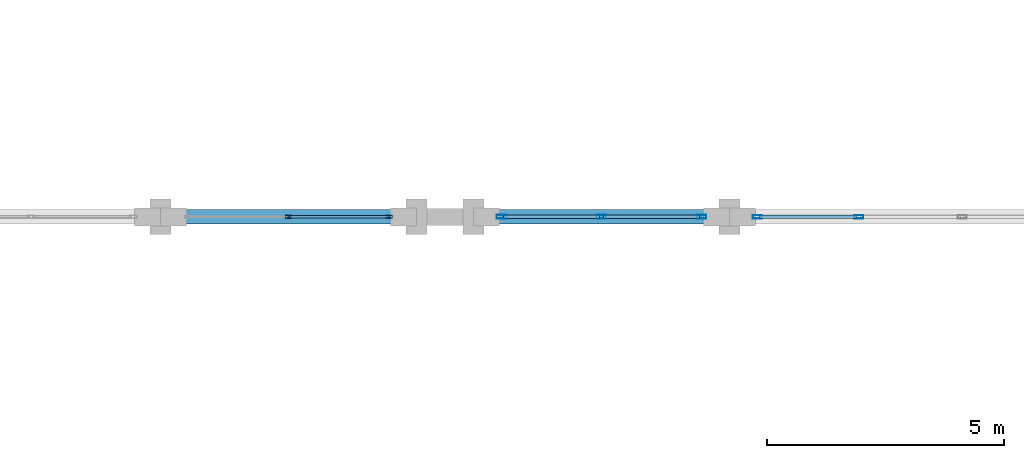
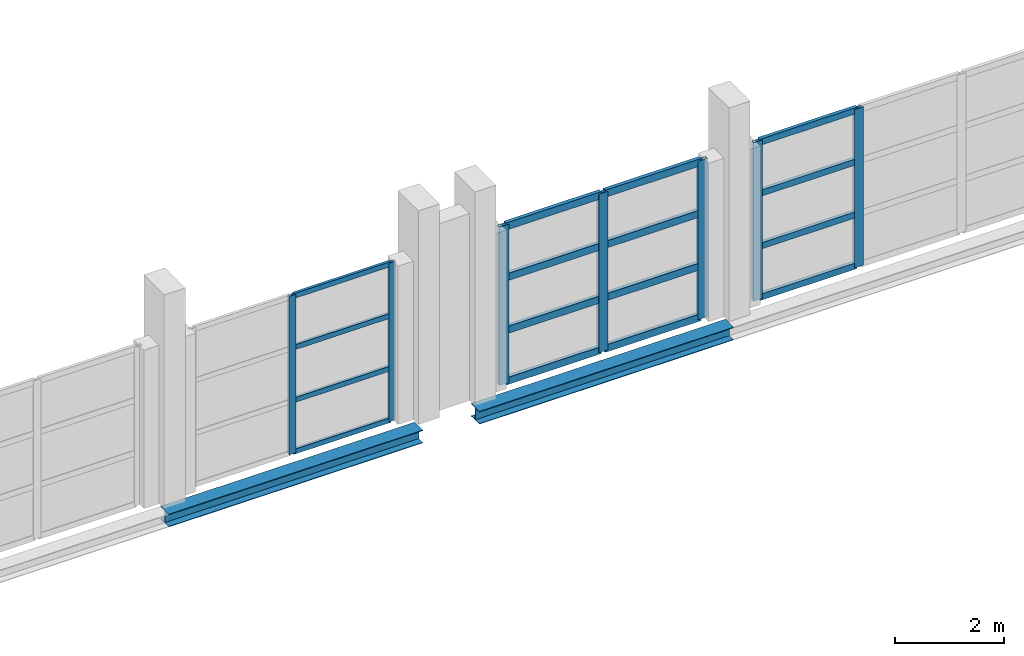
# One storey, part 80 of 147: 23 members, 2 beams, 3 elements without a shape of their own.
"""IFC4 building model written with IfcOpenShell, lengths in metres."""

from ifc_helpers import new_model, si_unit, direction, frame, origin, origin_2d, place, context, subcontext, project, spatial, hollow_rectangle, i_section, extrude, material, layer, layer_set, material_profile, profile_set, type_object, element, aggregate, save


model = new_model("IFC4")

# Units and contexts
model_context = context("Model", 3, precision=1e-05, world=origin(), true_north=direction((0.0, 1.0)))
body_context = subcontext(model_context, "Body", "Model", "MODEL_VIEW")
ifc_project = project(units=[si_unit("LENGTHUNIT", "METRE"), si_unit("AREAUNIT", "SQUARE_METRE"), si_unit("VOLUMEUNIT", "CUBIC_METRE"), si_unit("PLANEANGLEUNIT", "RADIAN"), si_unit("MASSUNIT", "GRAM", prefix="KILO")], contexts=[model_context])

# Site, building, storey
site_placement = place(None, origin())
site = spatial("IfcSite", under=ifc_project, at=site_placement, CompositionType="ELEMENT")
building_placement = place(site_placement, origin())
building = spatial("IfcBuilding", under=site, at=building_placement, Name="Zilviju Railside Exhibition Hall", CompositionType="ELEMENT")
storey_placement = place(building_placement, frame((0.0, 0.0, 8.39990234375)))
storey = spatial("IfcBuildingStorey", under=building, at=storey_placement, Name="L03", CompositionType="ELEMENT", Elevation=8.39990234375)

# Beams
ifc_material_1 = material(Name="Steel S355J2", Category="steel")
ifc_material_profile_1 = material_profile(ifc_material_1, i_section(OverallWidth=0.300048828125, OverallDepth=0.2900390625, WebThickness=0.008544921875, FlangeThickness=0.013916015625, at=origin_2d()), Name="HEA 300")
ifc_profile_set_1 = profile_set([ifc_material_profile_1], Name="Steel S355J2")
beam_type = type_object("IfcBeamType", Name="BM-HEA300", PredefinedType="SPANDREL", material=ifc_profile_set_1)
for number, where, z_axis, x_axis, name in (
    (1, (168.0, 54.0, -0.48486328125), (1.0, 0.0, 0.0), (0.0, 1.0, 0.0), "Primary Girder L03 Y=54.0 (168.0..173.4)"),
    (2, (174.60009765625, 54.0, -0.48486328125), (1.0, 0.0, 0.0), (0.0, 1.0, 0.0), "Primary Girder L03 Y=54.0 (174.6..180.0)"),
):
    element("IfcBeam", number, at=place(storey_placement, frame(where, z_axis=z_axis, x_axis=x_axis)), inside=storey, type_object=beam_type, Name=name, PredefinedType="SPANDREL", context=body_context, shape_type="SweptSolid", body=[
        extrude(i_section(OverallWidth=0.300048828125, OverallDepth=0.2900390625, WebThickness=0.008544921875, FlangeThickness=0.013916015625, at=origin_2d()), origin(), (0.0, 0.0, 1.0), 5.39990234375),
    ])

# Curtain wall, members
ifc_material_2 = material(Name="Thermally broken aluminium-steel triple-glazed curtain wall", Category="steel")
ifc_layer_1 = layer(ifc_material_2, 0.179931640625)
ifc_layer_set_1 = layer_set([ifc_layer_1], Name="Thermally broken aluminium-steel triple-glazed curtain wall")
curtain_wall_type_1 = type_object("IfcCurtainWallType", Name="CW-BAY-11", PredefinedType="USERDEFINED", material=ifc_layer_set_1)
curtain_wall_1_placement = place(storey_placement, origin())
curtain_wall_1 = element("IfcCurtainWall", 3, at=curtain_wall_1_placement, inside=storey, type_object=curtain_wall_type_1, Name="South Hall Garden Court Curtain Wall L03 (168..173)", ObjectType="GLAZED CURTAIN WALL", PredefinedType="USERDEFINED")
ifc_material_3 = material(Name="Thermally broken anodized aluminium mullion", Category="aluminium")
ifc_material_profile_2 = material_profile(ifc_material_3, hollow_rectangle(XDim=0.06005859375, YDim=0.139892578125, WallThickness=0.0048828125, at=origin_2d()), Name="MULLION 140x60x5")
ifc_profile_set_2 = profile_set([ifc_material_profile_2], Name="Thermally broken anodized aluminium mullion")
member_type_1 = type_object("IfcMemberType", Name="CWM-60x140", PredefinedType="MULLION", material=ifc_profile_set_2)
member_1_placement = place(storey_placement, frame((170.699951171875, 54.0, 0.0), z_axis=(0.0, 0.0, 1.0), x_axis=(0.0, 1.0, 0.0)))
member_1 = element("IfcMember", 4, at=member_1_placement, type_object=member_type_1, Name="CW-11 mullion 2", PredefinedType="MULLION", context=body_context, shape_type="SweptSolid", body=[
    extrude(hollow_rectangle(XDim=0.06005859375, YDim=0.139892578125, WallThickness=0.0048828125, at=origin_2d()), origin(), (0.0, 0.0, 1.0), 3.56005859375),
])
member_2_placement = place(storey_placement, frame((172.820068359375, 54.0, 0.0), z_axis=(0.0, 0.0, 1.0), x_axis=(0.0, 1.0, 0.0)))
member_2 = element("IfcMember", 5, at=member_2_placement, type_object=member_type_1, Name="CW-11 mullion 3", PredefinedType="MULLION", context=body_context, shape_type="SweptSolid", body=[
    extrude(hollow_rectangle(XDim=0.06005859375, YDim=0.139892578125, WallThickness=0.0048828125, at=origin_2d()), origin(), (0.0, 0.0, 1.0), 3.56005859375),
])

ifc_layer_2 = layer(ifc_material_2, 0.179931640625)
ifc_layer_set_2 = layer_set([ifc_layer_2], Name="Thermally broken aluminium-steel triple-glazed curtain wall")
curtain_wall_type_2 = type_object("IfcCurtainWallType", Name="CW-BAY-13", PredefinedType="USERDEFINED", material=ifc_layer_set_2)
curtain_wall_2_placement = place(storey_placement, origin())
curtain_wall_2 = element("IfcCurtainWall", 6, at=curtain_wall_2_placement, inside=storey, type_object=curtain_wall_type_2, Name="South Hall Garden Court Curtain Wall L03 (180..192)", ObjectType="GLAZED CURTAIN WALL", PredefinedType="USERDEFINED")
ifc_material_profile_3 = material_profile(ifc_material_3, hollow_rectangle(XDim=0.074951171875, YDim=0.18994140625, WallThickness=0.0048828125, at=origin_2d()), Name="MULLION 190x75x5")
ifc_profile_set_3 = profile_set([ifc_material_profile_3], Name="Thermally broken anodized aluminium mullion")
member_type_2 = type_object("IfcMemberType", Name="CWM-75x190", PredefinedType="MULLION", material=ifc_profile_set_3)
member_3_placement = place(storey_placement, frame((180.58740234375, 54.0, 0.0), z_axis=(0.0, 0.0, 1.0), x_axis=(0.0, 1.0, 0.0)))
member_3 = element("IfcMember", 7, at=member_3_placement, type_object=member_type_2, Name="CW-13 mullion 1", PredefinedType="MULLION", context=body_context, shape_type="SweptSolid", body=[
    extrude(hollow_rectangle(XDim=0.074951171875, YDim=0.18994140625, WallThickness=0.0048828125, at=origin_2d()), origin(), (0.0, 0.0, 1.0), 3.56005859375),
])
member_4_placement = place(storey_placement, frame((182.72998046875, 54.0, 0.0), z_axis=(0.0, 0.0, 1.0), x_axis=(0.0, 1.0, 0.0)))
member_4 = element("IfcMember", 8, at=member_4_placement, type_object=member_type_2, Name="CW-13 mullion 2", PredefinedType="MULLION", context=body_context, shape_type="SweptSolid", body=[
    extrude(hollow_rectangle(XDim=0.074951171875, YDim=0.18994140625, WallThickness=0.0048828125, at=origin_2d()), origin(), (0.0, 0.0, 1.0), 3.56005859375),
])

ifc_layer_3 = layer(ifc_material_2, 0.179931640625)
ifc_layer_set_3 = layer_set([ifc_layer_3], Name="Thermally broken aluminium-steel triple-glazed curtain wall")
curtain_wall_type_3 = type_object("IfcCurtainWallType", Name="CW-BAY-12", PredefinedType="USERDEFINED", material=ifc_layer_set_3)
curtain_wall_3_placement = place(storey_placement, origin())
curtain_wall_3 = element("IfcCurtainWall", 9, at=curtain_wall_3_placement, inside=storey, type_object=curtain_wall_type_3, Name="South Hall Garden Court Curtain Wall L03 (175..180)", ObjectType="GLAZED CURTAIN WALL", PredefinedType="USERDEFINED")
ifc_material_profile_4 = material_profile(ifc_material_3, hollow_rectangle(XDim=0.080078125, YDim=0.199951171875, WallThickness=0.0048828125, at=origin_2d()), Name="MULLION 200x80x5")
ifc_profile_set_4 = profile_set([ifc_material_profile_4], Name="Thermally broken anodized aluminium mullion")
member_type_3 = type_object("IfcMemberType", Name="CWM-80x200", PredefinedType="MULLION", material=ifc_profile_set_4)
member_5_placement = place(storey_placement, frame((175.18994140625, 54.0, 0.0), z_axis=(0.0, 0.0, 1.0), x_axis=(0.0, 1.0, 0.0)))
member_5 = element("IfcMember", 10, at=member_5_placement, type_object=member_type_3, Name="CW-12 mullion 1", PredefinedType="MULLION", context=body_context, shape_type="SweptSolid", body=[
    extrude(hollow_rectangle(XDim=0.080078125, YDim=0.199951171875, WallThickness=0.0048828125, at=origin_2d()), origin(), (0.0, 0.0, 1.0), 3.56005859375),
])
member_6_placement = place(storey_placement, frame((177.300048828125, 54.0, 0.0), z_axis=(0.0, 0.0, 1.0), x_axis=(0.0, 1.0, 0.0)))
member_6 = element("IfcMember", 11, at=member_6_placement, type_object=member_type_3, Name="CW-12 mullion 2", PredefinedType="MULLION", context=body_context, shape_type="SweptSolid", body=[
    extrude(hollow_rectangle(XDim=0.080078125, YDim=0.199951171875, WallThickness=0.0048828125, at=origin_2d()), origin(), (0.0, 0.0, 1.0), 3.56005859375),
])
member_7_placement = place(storey_placement, frame((179.409912109375, 54.0, 0.0), z_axis=(0.0, 0.0, 1.0), x_axis=(0.0, 1.0, 0.0)))
member_7 = element("IfcMember", 12, at=member_7_placement, type_object=member_type_3, Name="CW-12 mullion 3", PredefinedType="MULLION", context=body_context, shape_type="SweptSolid", body=[
    extrude(hollow_rectangle(XDim=0.080078125, YDim=0.199951171875, WallThickness=0.0048828125, at=origin_2d()), origin(), (0.0, 0.0, 1.0), 3.56005859375),
])

# Member
ifc_material_4 = material(Name="Thermally broken anodized aluminium transom", Category="aluminium")
ifc_material_profile_5 = material_profile(ifc_material_4, hollow_rectangle(XDim=0.06005859375, YDim=0.110107421875, WallThickness=0.0048828125, at=origin_2d()), Name="TRANSOM 110x60x5")
ifc_profile_set_5 = profile_set([ifc_material_profile_5], Name="Thermally broken anodized aluminium transom")
member_type_4 = type_object("IfcMemberType", Name="CWT-60x110", PredefinedType="USERDEFINED", material=ifc_profile_set_5)
member_8_placement = place(storey_placement, frame((170.72998046875, 54.0, 0.030029296875), z_axis=(1.0, 0.0, 0.0), x_axis=(0.0, 1.0, 0.0)))
member_8 = element("IfcMember", 13, at=member_8_placement, type_object=member_type_4, Name="CW-11 transom 2.1", ObjectType="TRANSOM", PredefinedType="USERDEFINED", context=body_context, shape_type="SweptSolid", body=[
    extrude(hollow_rectangle(XDim=0.06005859375, YDim=0.110107421875, WallThickness=0.0048828125, at=origin_2d()), origin(), (0.0, 0.0, 1.0), 2.06005859375),
])

member_9_placement = place(storey_placement, frame((170.72998046875, 54.0, 1.18701171875), z_axis=(1.0, 0.0, 0.0), x_axis=(0.0, 1.0, 0.0)))
member_9 = element("IfcMember", 14, at=member_9_placement, type_object=member_type_4, Name="CW-11 transom 2.2", ObjectType="TRANSOM", PredefinedType="USERDEFINED", context=body_context, shape_type="SweptSolid", body=[
    extrude(hollow_rectangle(XDim=0.06005859375, YDim=0.110107421875, WallThickness=0.0048828125, at=origin_2d()), origin(), (0.0, 0.0, 1.0), 2.06005859375),
])

member_10_placement = place(storey_placement, frame((170.72998046875, 54.0, 2.373046875), z_axis=(1.0, 0.0, 0.0), x_axis=(0.0, 1.0, 0.0)))
member_10 = element("IfcMember", 15, at=member_10_placement, type_object=member_type_4, Name="CW-11 transom 2.3", ObjectType="TRANSOM", PredefinedType="USERDEFINED", context=body_context, shape_type="SweptSolid", body=[
    extrude(hollow_rectangle(XDim=0.06005859375, YDim=0.110107421875, WallThickness=0.0048828125, at=origin_2d()), origin(), (0.0, 0.0, 1.0), 2.06005859375),
])

member_11_placement = place(storey_placement, frame((170.72998046875, 54.0, 3.530029296875), z_axis=(1.0, 0.0, 0.0), x_axis=(0.0, 1.0, 0.0)))
member_11 = element("IfcMember", 16, at=member_11_placement, type_object=member_type_4, Name="CW-11 transom 2.4", ObjectType="TRANSOM", PredefinedType="USERDEFINED", context=body_context, shape_type="SweptSolid", body=[
    extrude(hollow_rectangle(XDim=0.06005859375, YDim=0.110107421875, WallThickness=0.0048828125, at=origin_2d()), origin(), (0.0, 0.0, 1.0), 2.06005859375),
])

aggregate(curtain_wall_1, [member_1, member_2, member_8, member_9, member_10, member_11])

ifc_material_profile_6 = material_profile(ifc_material_4, hollow_rectangle(XDim=0.074951171875, YDim=0.139892578125, WallThickness=0.0048828125, at=origin_2d()), Name="TRANSOM 140x75x5")
ifc_profile_set_6 = profile_set([ifc_material_profile_6], Name="Thermally broken anodized aluminium transom")
member_type_5 = type_object("IfcMemberType", Name="CWT-75x140", PredefinedType="USERDEFINED", material=ifc_profile_set_6)
member_12_placement = place(storey_placement, frame((180.625, 54.0, 0.03759765625), z_axis=(1.0, 0.0, 0.0), x_axis=(0.0, 1.0, 0.0)))
member_12 = element("IfcMember", 17, at=member_12_placement, type_object=member_type_5, Name="CW-13 transom 1.1", ObjectType="TRANSOM", PredefinedType="USERDEFINED", context=body_context, shape_type="SweptSolid", body=[
    extrude(hollow_rectangle(XDim=0.074951171875, YDim=0.139892578125, WallThickness=0.0048828125, at=origin_2d()), origin(), (0.0, 0.0, 1.0), 2.0673828125),
])

member_13_placement = place(storey_placement, frame((180.625, 54.0, 1.18701171875), z_axis=(1.0, 0.0, 0.0), x_axis=(0.0, 1.0, 0.0)))
member_13 = element("IfcMember", 18, at=member_13_placement, type_object=member_type_5, Name="CW-13 transom 1.2", ObjectType="TRANSOM", PredefinedType="USERDEFINED", context=body_context, shape_type="SweptSolid", body=[
    extrude(hollow_rectangle(XDim=0.074951171875, YDim=0.139892578125, WallThickness=0.0048828125, at=origin_2d()), origin(), (0.0, 0.0, 1.0), 2.0673828125),
])

member_14_placement = place(storey_placement, frame((180.625, 54.0, 2.373046875), z_axis=(1.0, 0.0, 0.0), x_axis=(0.0, 1.0, 0.0)))
member_14 = element("IfcMember", 19, at=member_14_placement, type_object=member_type_5, Name="CW-13 transom 1.3", ObjectType="TRANSOM", PredefinedType="USERDEFINED", context=body_context, shape_type="SweptSolid", body=[
    extrude(hollow_rectangle(XDim=0.074951171875, YDim=0.139892578125, WallThickness=0.0048828125, at=origin_2d()), origin(), (0.0, 0.0, 1.0), 2.0673828125),
])

member_15_placement = place(storey_placement, frame((180.625, 54.0, 3.522705078125), z_axis=(1.0, 0.0, 0.0), x_axis=(0.0, 1.0, 0.0)))
member_15 = element("IfcMember", 20, at=member_15_placement, type_object=member_type_5, Name="CW-13 transom 1.4", ObjectType="TRANSOM", PredefinedType="USERDEFINED", context=body_context, shape_type="SweptSolid", body=[
    extrude(hollow_rectangle(XDim=0.074951171875, YDim=0.139892578125, WallThickness=0.0048828125, at=origin_2d()), origin(), (0.0, 0.0, 1.0), 2.0673828125),
])

aggregate(curtain_wall_2, [member_3, member_4, member_12, member_13, member_14, member_15])

ifc_material_profile_7 = material_profile(ifc_material_4, hollow_rectangle(XDim=0.080078125, YDim=0.159912109375, WallThickness=0.0048828125, at=origin_2d()), Name="TRANSOM 160x80x5")
ifc_profile_set_7 = profile_set([ifc_material_profile_7], Name="Thermally broken anodized aluminium transom")
member_type_6 = type_object("IfcMemberType", Name="CWT-80x160", PredefinedType="USERDEFINED", material=ifc_profile_set_7)
member_16_placement = place(storey_placement, frame((175.22998046875, 54.0, 0.0400390625), z_axis=(1.0, 0.0, 0.0), x_axis=(0.0, 1.0, 0.0)))
member_16 = element("IfcMember", 21, at=member_16_placement, type_object=member_type_6, Name="CW-12 transom 1.1", ObjectType="TRANSOM", PredefinedType="USERDEFINED", context=body_context, shape_type="SweptSolid", body=[
    extrude(hollow_rectangle(XDim=0.080078125, YDim=0.159912109375, WallThickness=0.0048828125, at=origin_2d()), origin(), (0.0, 0.0, 1.0), 2.030029296875),
])

member_17_placement = place(storey_placement, frame((175.22998046875, 54.0, 1.18701171875), z_axis=(1.0, 0.0, 0.0), x_axis=(0.0, 1.0, 0.0)))
member_17 = element("IfcMember", 22, at=member_17_placement, type_object=member_type_6, Name="CW-12 transom 1.2", ObjectType="TRANSOM", PredefinedType="USERDEFINED", context=body_context, shape_type="SweptSolid", body=[
    extrude(hollow_rectangle(XDim=0.080078125, YDim=0.159912109375, WallThickness=0.0048828125, at=origin_2d()), origin(), (0.0, 0.0, 1.0), 2.030029296875),
])

member_18_placement = place(storey_placement, frame((175.22998046875, 54.0, 2.373046875), z_axis=(1.0, 0.0, 0.0), x_axis=(0.0, 1.0, 0.0)))
member_18 = element("IfcMember", 23, at=member_18_placement, type_object=member_type_6, Name="CW-12 transom 1.3", ObjectType="TRANSOM", PredefinedType="USERDEFINED", context=body_context, shape_type="SweptSolid", body=[
    extrude(hollow_rectangle(XDim=0.080078125, YDim=0.159912109375, WallThickness=0.0048828125, at=origin_2d()), origin(), (0.0, 0.0, 1.0), 2.030029296875),
])

member_19_placement = place(storey_placement, frame((175.22998046875, 54.0, 3.52001953125), z_axis=(1.0, 0.0, 0.0), x_axis=(0.0, 1.0, 0.0)))
member_19 = element("IfcMember", 24, at=member_19_placement, type_object=member_type_6, Name="CW-12 transom 1.4", ObjectType="TRANSOM", PredefinedType="USERDEFINED", context=body_context, shape_type="SweptSolid", body=[
    extrude(hollow_rectangle(XDim=0.080078125, YDim=0.159912109375, WallThickness=0.0048828125, at=origin_2d()), origin(), (0.0, 0.0, 1.0), 2.030029296875),
])

member_20_placement = place(storey_placement, frame((177.340087890625, 54.0, 0.0400390625), z_axis=(1.0, 0.0, 0.0), x_axis=(0.0, 1.0, 0.0)))
member_20 = element("IfcMember", 25, at=member_20_placement, type_object=member_type_6, Name="CW-12 transom 2.1", ObjectType="TRANSOM", PredefinedType="USERDEFINED", context=body_context, shape_type="SweptSolid", body=[
    extrude(hollow_rectangle(XDim=0.080078125, YDim=0.159912109375, WallThickness=0.0048828125, at=origin_2d()), origin(), (0.0, 0.0, 1.0), 2.030029296875),
])

member_21_placement = place(storey_placement, frame((177.340087890625, 54.0, 1.18701171875), z_axis=(1.0, 0.0, 0.0), x_axis=(0.0, 1.0, 0.0)))
member_21 = element("IfcMember", 26, at=member_21_placement, type_object=member_type_6, Name="CW-12 transom 2.2", ObjectType="TRANSOM", PredefinedType="USERDEFINED", context=body_context, shape_type="SweptSolid", body=[
    extrude(hollow_rectangle(XDim=0.080078125, YDim=0.159912109375, WallThickness=0.0048828125, at=origin_2d()), origin(), (0.0, 0.0, 1.0), 2.030029296875),
])

member_22_placement = place(storey_placement, frame((177.340087890625, 54.0, 2.373046875), z_axis=(1.0, 0.0, 0.0), x_axis=(0.0, 1.0, 0.0)))
member_22 = element("IfcMember", 27, at=member_22_placement, type_object=member_type_6, Name="CW-12 transom 2.3", ObjectType="TRANSOM", PredefinedType="USERDEFINED", context=body_context, shape_type="SweptSolid", body=[
    extrude(hollow_rectangle(XDim=0.080078125, YDim=0.159912109375, WallThickness=0.0048828125, at=origin_2d()), origin(), (0.0, 0.0, 1.0), 2.030029296875),
])

member_23_placement = place(storey_placement, frame((177.340087890625, 54.0, 3.52001953125), z_axis=(1.0, 0.0, 0.0), x_axis=(0.0, 1.0, 0.0)))
member_23 = element("IfcMember", 28, at=member_23_placement, type_object=member_type_6, Name="CW-12 transom 2.4", ObjectType="TRANSOM", PredefinedType="USERDEFINED", context=body_context, shape_type="SweptSolid", body=[
    extrude(hollow_rectangle(XDim=0.080078125, YDim=0.159912109375, WallThickness=0.0048828125, at=origin_2d()), origin(), (0.0, 0.0, 1.0), 2.030029296875),
])

aggregate(curtain_wall_3, [member_5, member_6, member_7, member_16, member_17, member_18, member_19, member_20, member_21, member_22, member_23])

save(model, "model.ifc")
